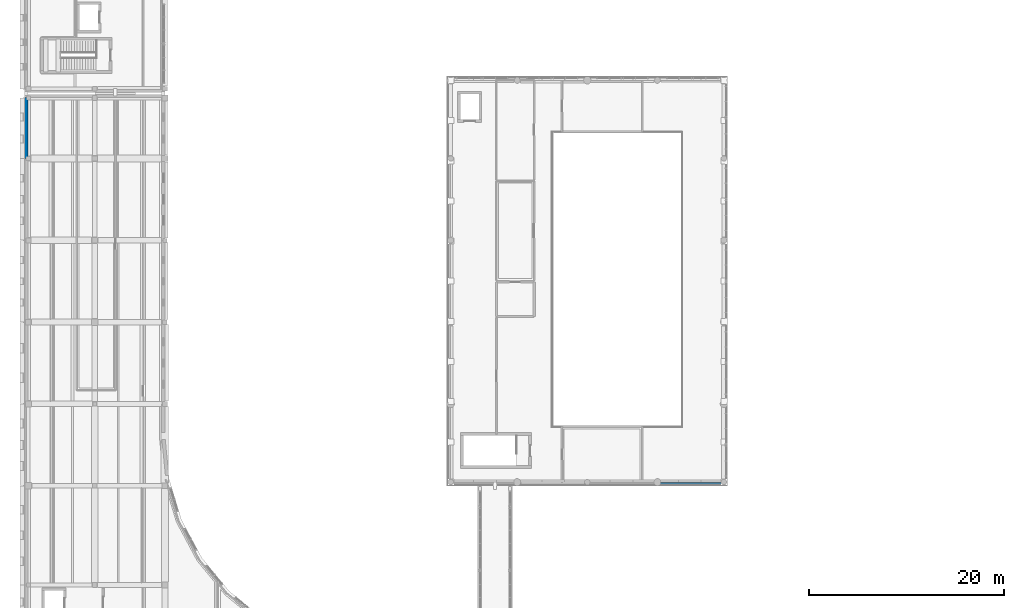
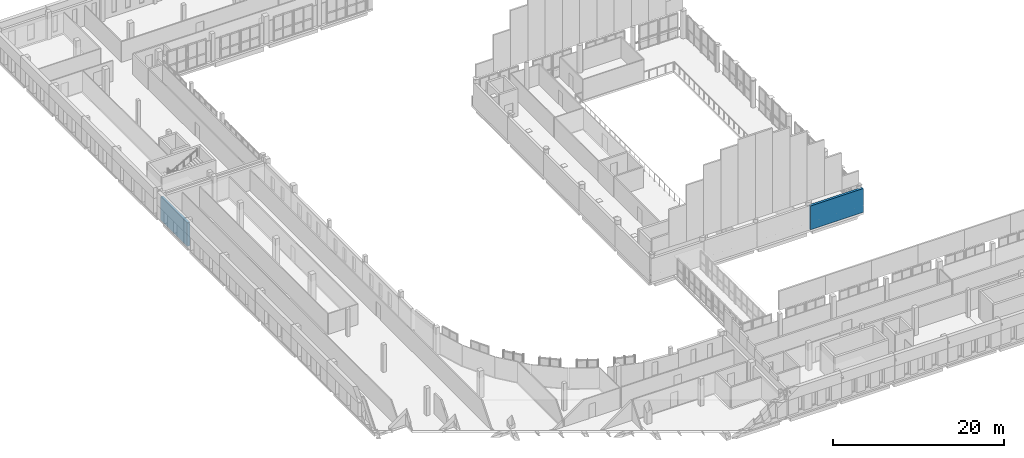
# One storey, part 56 of 76: 2 walls.
"""IFC4 building model written with IfcOpenShell, lengths in metres."""

from ifc_helpers import new_model, si_unit, direction, frame, frame_2d, origin, place, context, subcontext, project, spatial, rectangle, extrude, material, layer, layer_set, type_object, element, save


model = new_model("IFC4")

# Units and contexts
model_context = context("Model", 3, precision=1e-05, world=origin(), true_north=direction((0.0, 1.0)))
body_context = subcontext(model_context, "Body", "Model", "MODEL_VIEW")
ifc_project = project(units=[si_unit("LENGTHUNIT", "METRE"), si_unit("AREAUNIT", "SQUARE_METRE"), si_unit("VOLUMEUNIT", "CUBIC_METRE"), si_unit("PLANEANGLEUNIT", "RADIAN"), si_unit("MASSUNIT", "GRAM", prefix="KILO")], contexts=[model_context])

# Site, building, storey
site_placement = place(None, origin())
site = spatial("IfcSite", under=ifc_project, at=site_placement, CompositionType="ELEMENT")
building_placement = place(site_placement, origin())
building = spatial("IfcBuilding", under=site, at=building_placement, Name="Vardoun Plaza Health Centre", CompositionType="ELEMENT")
storey_placement = place(building_placement, frame((0.0, 0.0, 4.5)))
storey = spatial("IfcBuildingStorey", under=building, at=storey_placement, Name="L01", CompositionType="ELEMENT", Elevation=4.5)

# Walls
ifc_material_1 = material(Name="Pale Limestone Concrete C35/45", Category="masonry")
ifc_layer_1 = layer(ifc_material_1, 0.330078125)
ifc_layer_set_1 = layer_set([ifc_layer_1], Name="Pale Limestone Concrete C35/45")
wall_type_1 = type_object("IfcWallType", Name="EW-02", PredefinedType="SOLIDWALL", material=ifc_layer_set_1)
wall_1_placement = place(storey_placement, frame((76.679931640625, 36.465087890625, 0.0), z_axis=(0.0, 0.0, 1.0), x_axis=(-1.0, 0.0, 0.0)))
element("IfcWall", 1, at=wall_1_placement, inside=storey, type_object=wall_type_1, Name="V1 L01 Exterior Wall EW-V1-030", PredefinedType="SOLIDWALL", context=body_context, shape_type="SweptSolid", body=[
    extrude(rectangle(XDim=7.199951171875, YDim=0.330078125, at=frame_2d((3.60009765625, 0.0))), origin(), (0.0, 0.0, 1.0), 3.409912109375),
])
ifc_material_2 = material(Name="Pale Limestone Concrete C35/45", Category="masonry")
ifc_layer_2 = layer(ifc_material_2, 0.344970703125)
ifc_layer_set_2 = layer_set([ifc_layer_2], Name="Pale Limestone Concrete C35/45")
wall_type_2 = type_object("IfcWallType", Name="EW-01", PredefinedType="SOLIDWALL", material=ifc_layer_set_2)
wall_2_placement = place(storey_placement, frame((4.672607421875, 69.89990234375, 0.0), z_axis=(0.0, 0.0, 1.0), x_axis=(0.0, 1.0, 0.0)))
element("IfcWall", 2, at=wall_2_placement, inside=storey, type_object=wall_type_2, Name="V2 L01 Exterior Wall EW-V2-125", PredefinedType="SOLIDWALL", context=body_context, shape_type="SweptSolid", body=[
    extrude(rectangle(XDim=6.255126953125, YDim=0.344970703125, at=frame_2d((3.12744140625, 0.0))), origin(), (0.0, 0.0, 1.0), 3.35498046875),
])

save(model, "model.ifc")
